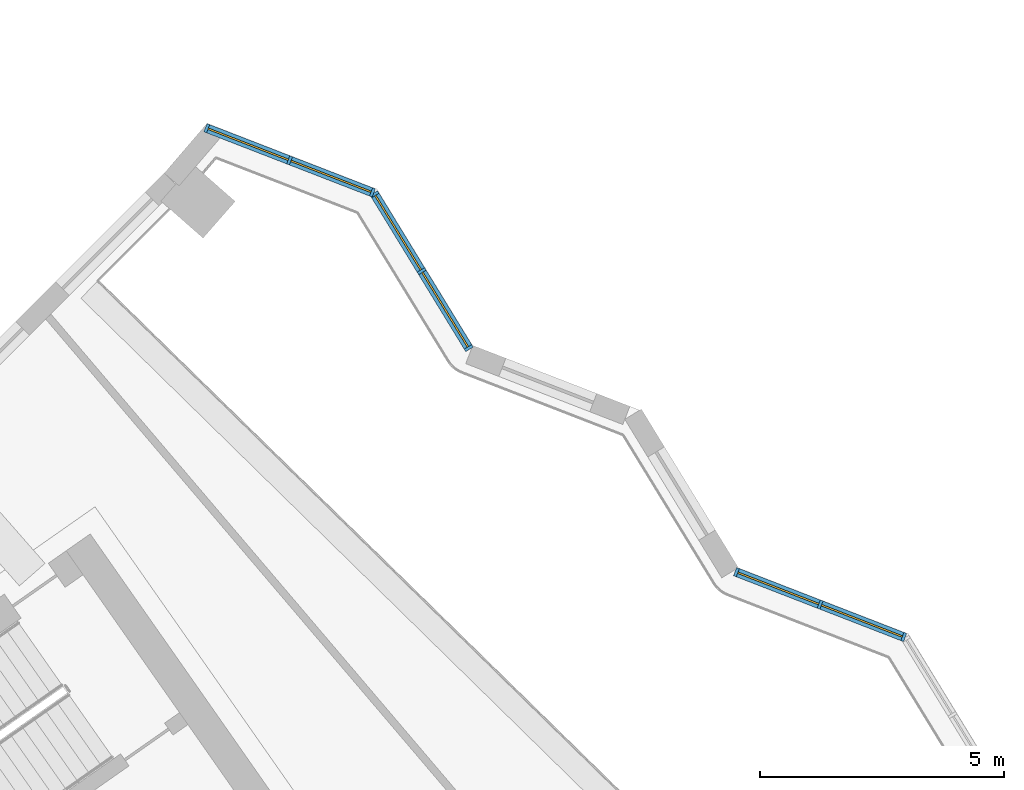
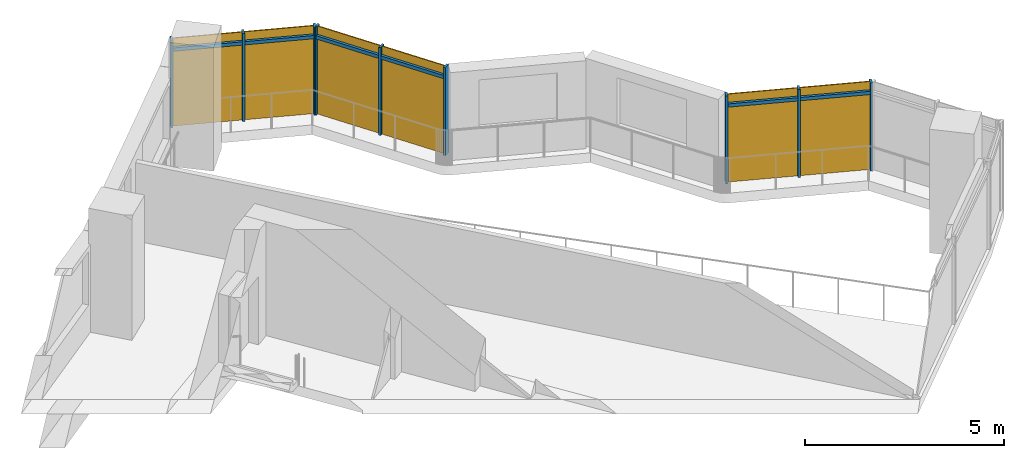
# One storey, part 22 of 29: 15 members, 3 curtain walls.
"""IFC4 building model written with IfcOpenShell, lengths in metres."""

from ifc_helpers import new_model, si_unit, direction, frame, origin, origin_2d, place, context, subcontext, project, spatial, rectangle, extrude, material, material_profile, profile_set, type_object, element, aggregate, save


model = new_model("IFC4")

# Units and contexts
model_context = context("Model", 3, precision=1e-05, world=origin(), true_north=direction((0.0, 1.0)))
body_context = subcontext(model_context, "Body", "Model", "MODEL_VIEW")
ifc_project = project(units=[si_unit("LENGTHUNIT", "METRE"), si_unit("AREAUNIT", "SQUARE_METRE"), si_unit("VOLUMEUNIT", "CUBIC_METRE"), si_unit("PLANEANGLEUNIT", "RADIAN"), si_unit("MASSUNIT", "GRAM", prefix="KILO")], contexts=[model_context])

# Member
ifc_material = material(Name="Aluminium 6063-T6 anodised", Category="aluminium")
ifc_material_profile_1 = material_profile(ifc_material, rectangle(XDim=0.179931640625, YDim=0.06005859375, at=origin_2d()))
ifc_profile_set_1 = profile_set([ifc_material_profile_1], Name="Aluminium 6063-T6 anodised")
member_type_1 = type_object("IfcMemberType", Name="Mullion 60 x 180 aluminium, garden", PredefinedType="MULLION", material=ifc_profile_set_1)
site_placement = place(None, origin())
building_placement = place(site_placement, origin())
storey_placement = place(building_placement, frame((0.0, 0.0, 207.5)))
member_1_placement = place(storey_placement, frame((58.26123046875, -47.34033203125, 0.0), z_axis=(0.0, 0.0, 1.0), x_axis=(-0.361634296641, -0.932320028474, 0.0)))
member_1 = element("IfcMember", 1, at=member_1_placement, type_object=member_type_1, Name="e-cw4-L49-capE1/M00", PredefinedType="MULLION", context=body_context, shape_type="SweptSolid", body=[
    extrude(rectangle(XDim=0.179931640625, YDim=0.06005859375, at=origin_2d()), origin(), (0.0, 0.0, 1.0), 2.699951171875),
])

member_2_placement = place(storey_placement, frame((56.546630859375, -46.67529296875, 0.0), z_axis=(0.0, 0.0, 1.0), x_axis=(-0.361634296641, -0.932320028474, 0.0)))
member_2 = element("IfcMember", 2, at=member_2_placement, type_object=member_type_1, Name="e-cw4-L49-capE1/M01", PredefinedType="MULLION", context=body_context, shape_type="SweptSolid", body=[
    extrude(rectangle(XDim=0.179931640625, YDim=0.06005859375, at=origin_2d()), origin(), (0.0, 0.0, 1.0), 2.699951171875),
])

member_3_placement = place(storey_placement, frame((54.83203125, -46.01025390625, 0.0), z_axis=(0.0, 0.0, 1.0), x_axis=(-0.361634296641, -0.932320028474, 0.0)))
member_3 = element("IfcMember", 3, at=member_3_placement, type_object=member_type_1, Name="e-cw4-L49-capE1/M02", PredefinedType="MULLION", context=body_context, shape_type="SweptSolid", body=[
    extrude(rectangle(XDim=0.179931640625, YDim=0.06005859375, at=origin_2d()), origin(), (0.0, 0.0, 1.0), 2.699951171875),
])

member_4_placement = place(storey_placement, frame((49.343505859375, -41.417236328125, 0.0), z_axis=(0.0, 0.0, 1.0), x_axis=(-0.853018214163, -0.521881141933, 0.0)))
member_4 = element("IfcMember", 4, at=member_4_placement, type_object=member_type_1, Name="e-cw4-L49-capE4/M00", PredefinedType="MULLION", context=body_context, shape_type="SweptSolid", body=[
    extrude(rectangle(XDim=0.179931640625, YDim=0.06005859375, at=origin_2d()), origin(), (0.0, 0.0, 1.0), 2.699951171875),
])

member_5_placement = place(storey_placement, frame((48.37841796875, -39.83984375, 0.0), z_axis=(0.0, 0.0, 1.0), x_axis=(-0.853018214163, -0.521881141933, 0.0)))
member_5 = element("IfcMember", 5, at=member_5_placement, type_object=member_type_1, Name="e-cw4-L49-capE4/M01", PredefinedType="MULLION", context=body_context, shape_type="SweptSolid", body=[
    extrude(rectangle(XDim=0.179931640625, YDim=0.06005859375, at=origin_2d()), origin(), (0.0, 0.0, 1.0), 2.699951171875),
])

member_6_placement = place(storey_placement, frame((47.413330078125, -38.262451171875, 0.0), z_axis=(0.0, 0.0, 1.0), x_axis=(-0.853018214163, -0.521881141933, 0.0)))
member_6 = element("IfcMember", 6, at=member_6_placement, type_object=member_type_1, Name="e-cw4-L49-capE4/M02", PredefinedType="MULLION", context=body_context, shape_type="SweptSolid", body=[
    extrude(rectangle(XDim=0.179931640625, YDim=0.06005859375, at=origin_2d()), origin(), (0.0, 0.0, 1.0), 2.699951171875),
])

member_7_placement = place(storey_placement, frame((47.36962890625, -38.225830078125, 0.0), z_axis=(0.0, 0.0, 1.0), x_axis=(-0.361461525835, -0.932387025511, 0.0)))
member_7 = element("IfcMember", 7, at=member_7_placement, type_object=member_type_1, Name="e-cw4-L49-capE5/M00", PredefinedType="MULLION", context=body_context, shape_type="SweptSolid", body=[
    extrude(rectangle(XDim=0.179931640625, YDim=0.06005859375, at=origin_2d()), origin(), (0.0, 0.0, 1.0), 2.699951171875),
])

member_8_placement = place(storey_placement, frame((45.671630859375, -37.567626953125, 0.0), z_axis=(0.0, 0.0, 1.0), x_axis=(-0.361461525835, -0.932387025511, 0.0)))
member_8 = element("IfcMember", 8, at=member_8_placement, type_object=member_type_1, Name="e-cw4-L49-capE5/M01", PredefinedType="MULLION", context=body_context, shape_type="SweptSolid", body=[
    extrude(rectangle(XDim=0.179931640625, YDim=0.06005859375, at=origin_2d()), origin(), (0.0, 0.0, 1.0), 2.699951171875),
])

member_9_placement = place(storey_placement, frame((43.9736328125, -36.909423828125, 0.0), z_axis=(0.0, 0.0, 1.0), x_axis=(-0.361461525835, -0.932387025511, 0.0)))
member_9 = element("IfcMember", 9, at=member_9_placement, type_object=member_type_1, Name="e-cw4-L49-capE5/M02", PredefinedType="MULLION", context=body_context, shape_type="SweptSolid", body=[
    extrude(rectangle(XDim=0.179931640625, YDim=0.06005859375, at=origin_2d()), origin(), (0.0, 0.0, 1.0), 2.699951171875),
])

ifc_material_profile_2 = material_profile(ifc_material, rectangle(XDim=0.179931640625, YDim=0.10009765625, at=origin_2d()))
ifc_profile_set_2 = profile_set([ifc_material_profile_2], Name="Aluminium 6063-T6 anodised")
member_type_2 = type_object("IfcMemberType", Name="Transom 100 x 180 aluminium, garden", PredefinedType="USERDEFINED", material=ifc_profile_set_2)
member_10_placement = place(storey_placement, frame((58.2333984375, -47.32958984375, 2.39990234375), z_axis=(-0.932287660611, 0.361717732318, 0.0), x_axis=(-0.361717732318, -0.932287660611, 0.0)))
member_10 = element("IfcMember", 10, at=member_10_placement, type_object=member_type_2, Name="e-cw4-L49-capE1/T00", ObjectType="TRANSOM", PredefinedType="USERDEFINED", context=body_context, shape_type="SweptSolid", body=[
    extrude(rectangle(XDim=0.179931640625, YDim=0.10009765625, at=origin_2d()), origin(), (0.0, 0.0, 1.0), 1.779052734375),
])

member_11_placement = place(storey_placement, frame((56.518798828125, -46.66455078125, 2.39990234375), z_axis=(-0.932287660611, 0.361717732318, 0.0), x_axis=(-0.361717732318, -0.932287660611, 0.0)))
member_11 = element("IfcMember", 11, at=member_11_placement, type_object=member_type_2, Name="e-cw4-L49-capE1/T01", ObjectType="TRANSOM", PredefinedType="USERDEFINED", context=body_context, shape_type="SweptSolid", body=[
    extrude(rectangle(XDim=0.179931640625, YDim=0.10009765625, at=origin_2d()), origin(), (0.0, 0.0, 1.0), 1.779052734375),
])

member_12_placement = place(storey_placement, frame((49.327880859375, -41.3916015625, 2.39990234375), z_axis=(-0.521941161781, 0.852981490795, 0.0), x_axis=(-0.852981490795, -0.521941161781, 0.0)))
member_12 = element("IfcMember", 12, at=member_12_placement, type_object=member_type_2, Name="e-cw4-L49-capE4/T00", ObjectType="TRANSOM", PredefinedType="USERDEFINED", context=body_context, shape_type="SweptSolid", body=[
    extrude(rectangle(XDim=0.179931640625, YDim=0.10009765625, at=origin_2d()), origin(), (0.0, 0.0, 1.0), 1.7890625),
])

member_13_placement = place(storey_placement, frame((48.36279296875, -39.814208984375, 2.39990234375), z_axis=(-0.521880416831, 0.853018657785, 0.0), x_axis=(-0.853018657785, -0.521880416831, 0.0)))
member_13 = element("IfcMember", 13, at=member_13_placement, type_object=member_type_2, Name="e-cw4-L49-capE4/T01", ObjectType="TRANSOM", PredefinedType="USERDEFINED", context=body_context, shape_type="SweptSolid", body=[
    extrude(rectangle(XDim=0.179931640625, YDim=0.10009765625, at=origin_2d()), origin(), (0.0, 0.0, 1.0), 1.789306640625),
])

member_14_placement = place(storey_placement, frame((47.341552734375, -38.215087890625, 2.39990234375), z_axis=(-0.932363216102, 0.361522936009, 0.0), x_axis=(-0.361522936009, -0.932363216102, 0.0)))
member_14 = element("IfcMember", 14, at=member_14_placement, type_object=member_type_2, Name="e-cw4-L49-capE5/T00", ObjectType="TRANSOM", PredefinedType="USERDEFINED", context=body_context, shape_type="SweptSolid", body=[
    extrude(rectangle(XDim=0.179931640625, YDim=0.10009765625, at=origin_2d()), origin(), (0.0, 0.0, 1.0), 1.76123046875),
])

member_15_placement = place(storey_placement, frame((45.6435546875, -37.556884765625, 2.39990234375), z_axis=(-0.932363216102, 0.361522936009, 0.0), x_axis=(-0.361522936009, -0.932363216102, 0.0)))
member_15 = element("IfcMember", 15, at=member_15_placement, type_object=member_type_2, Name="e-cw4-L49-capE5/T01", ObjectType="TRANSOM", PredefinedType="USERDEFINED", context=body_context, shape_type="SweptSolid", body=[
    extrude(rectangle(XDim=0.179931640625, YDim=0.10009765625, at=origin_2d()), origin(), (0.0, 0.0, 1.0), 1.76123046875),
])

# Site, building, storey
site = spatial("IfcSite", under=ifc_project, at=site_placement, CompositionType="ELEMENT")
building = spatial("IfcBuilding", under=site, at=building_placement, Name="Qamariyya Broadcast Tower", CompositionType="ELEMENT")
storey = spatial("IfcBuildingStorey", under=building, at=storey_placement, Name="L49", CompositionType="ELEMENT", Elevation=207.5)

# Curtain wall
curtain_wall_type = type_object("IfcCurtainWallType", Name="Sky garden enclosure curtain wall", PredefinedType="NOTDEFINED", material=ifc_material)
curtain_wall_1_placement = place(storey_placement, origin())
curtain_wall_1 = element("IfcCurtainWall", 16, at=curtain_wall_1_placement, inside=storey, type_object=curtain_wall_type, Name="e-cw4-L49-capE1", PredefinedType="NOTDEFINED", context=body_context, shape_type="SweptSolid", body=[
    extrude(rectangle(XDim=1.779296875, YDim=0.031982421875, at=origin_2d()), frame((57.404052734375, -47.0078125, 0.0), x_axis=(-0.932308288056, 0.361664562851, 0.0)), (0.0, 0.0, 1.0), 2.35009765625),
    extrude(rectangle(XDim=1.779296875, YDim=0.031982421875, at=origin_2d()), frame((57.404052734375, -47.0078125, 2.449951171875), x_axis=(-0.932308288056, 0.361664562851, 0.0)), (0.0, 0.0, 1.0), 0.25),
    extrude(rectangle(XDim=1.779296875, YDim=0.031982421875, at=origin_2d()), frame((55.689208984375, -46.3427734375, 0.0), x_axis=(-0.932308288056, 0.361664562851, 0.0)), (0.0, 0.0, 1.0), 2.35009765625),
    extrude(rectangle(XDim=1.779296875, YDim=0.031982421875, at=origin_2d()), frame((55.689208984375, -46.3427734375, 2.449951171875), x_axis=(-0.932308288056, 0.361664562851, 0.0)), (0.0, 0.0, 1.0), 0.25),
])

aggregate(curtain_wall_1, [member_1, member_2, member_3, member_10, member_11])

curtain_wall_2_placement = place(storey_placement, origin())
curtain_wall_2 = element("IfcCurtainWall", 17, at=curtain_wall_2_placement, inside=storey, type_object=curtain_wall_type, Name="e-cw4-L49-capE4", PredefinedType="NOTDEFINED", context=body_context, shape_type="SweptSolid", body=[
    extrude(rectangle(XDim=1.789306640625, YDim=0.031982421875, at=origin_2d()), frame((48.86083984375, -40.628662109375, 0.0), x_axis=(-0.52187034671, 0.853024818645, 0.0)), (0.0, 0.0, 1.0), 2.35009765625),
    extrude(rectangle(XDim=1.789306640625, YDim=0.031982421875, at=origin_2d()), frame((48.86083984375, -40.628662109375, 2.449951171875), x_axis=(-0.52187034671, 0.853024818645, 0.0)), (0.0, 0.0, 1.0), 0.25),
    extrude(rectangle(XDim=1.789306640625, YDim=0.031982421875, at=origin_2d()), frame((47.89599609375, -39.051025390625, 0.0), x_axis=(-0.52187034671, 0.853024818645, 0.0)), (0.0, 0.0, 1.0), 2.35009765625),
    extrude(rectangle(XDim=1.789306640625, YDim=0.031982421875, at=origin_2d()), frame((47.89599609375, -39.051025390625, 2.449951171875), x_axis=(-0.52187034671, 0.853024818645, 0.0)), (0.0, 0.0, 1.0), 0.25),
])

aggregate(curtain_wall_2, [member_4, member_5, member_6, member_12, member_13])

curtain_wall_3_placement = place(storey_placement, origin())
curtain_wall_3 = element("IfcCurtainWall", 18, at=curtain_wall_3_placement, inside=storey, type_object=curtain_wall_type, Name="e-cw4-L49-capE5", PredefinedType="NOTDEFINED", context=body_context, shape_type="SweptSolid", body=[
    extrude(rectangle(XDim=1.76123046875, YDim=0.031982421875, at=origin_2d()), frame((46.520751953125, -37.896728515625, 0.0), x_axis=(-0.932380358881, 0.36147872188, 0.0)), (0.0, 0.0, 1.0), 2.35009765625),
    extrude(rectangle(XDim=1.76123046875, YDim=0.031982421875, at=origin_2d()), frame((46.520751953125, -37.896728515625, 2.449951171875), x_axis=(-0.932380358881, 0.36147872188, 0.0)), (0.0, 0.0, 1.0), 0.25),
    extrude(rectangle(XDim=1.76123046875, YDim=0.031982421875, at=origin_2d()), frame((44.822509765625, -37.238525390625, 0.0), x_axis=(-0.932380358881, 0.36147872188, 0.0)), (0.0, 0.0, 1.0), 2.35009765625),
    extrude(rectangle(XDim=1.76123046875, YDim=0.031982421875, at=origin_2d()), frame((44.822509765625, -37.238525390625, 2.449951171875), x_axis=(-0.932380358881, 0.36147872188, 0.0)), (0.0, 0.0, 1.0), 0.25),
])

aggregate(curtain_wall_3, [member_7, member_8, member_9, member_14, member_15])

save(model, "model.ifc")
